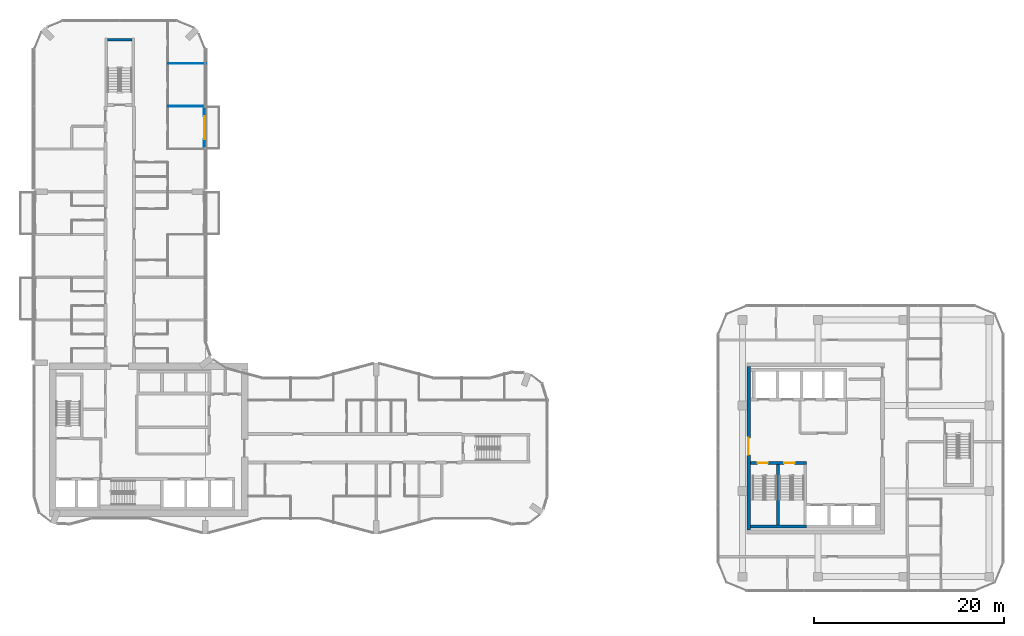
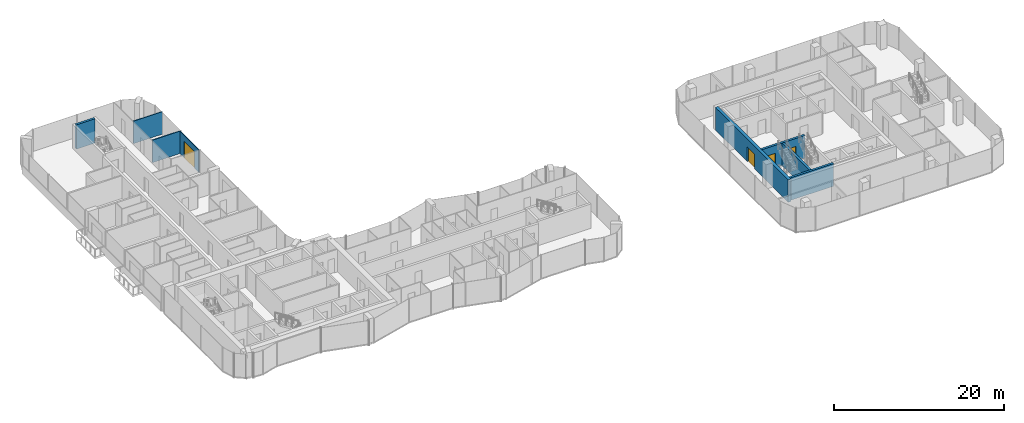
# One storey, part 17 of 23: 8 walls, 4 doors, 4 openings.
"""IFC4 building model written with IfcOpenShell, lengths in metres."""

from ifc_helpers import new_model, si_unit, direction, frame, frame_2d, origin, place, context, subcontext, project, spatial, rectangle, extrude, material, layer, layer_set, type_object, element, fill, save


model = new_model("IFC4")

# Units and contexts
model_context = context("Model", 3, precision=1e-05, world=origin(), true_north=direction((0.0, 1.0)))
body_context = subcontext(model_context, "Body", "Model", "MODEL_VIEW")
ifc_project = project(units=[si_unit("LENGTHUNIT", "METRE"), si_unit("AREAUNIT", "SQUARE_METRE"), si_unit("VOLUMEUNIT", "CUBIC_METRE"), si_unit("PLANEANGLEUNIT", "RADIAN"), si_unit("MASSUNIT", "GRAM", prefix="KILO")], contexts=[model_context])

# Site, building, storey
site_placement = place(None, origin())
site = spatial("IfcSite", under=ifc_project, at=site_placement, CompositionType="ELEMENT")
building_placement = place(site_placement, origin())
building = spatial("IfcBuilding", under=site, at=building_placement, Name="Plateau Cross Towers", CompositionType="ELEMENT")
storey_placement = place(building_placement, frame((0.0, 0.0, 95.800048828125)))
storey = spatial("IfcBuildingStorey", under=building, at=storey_placement, Name="L24", CompositionType="ELEMENT", Elevation=95.800048828125)

# Wall, opening, door
ifc_material_1 = material(Name="Aluminium framed glazing", Category="aluminium")
ifc_layer_1 = layer(ifc_material_1, 0.10009765625)
ifc_layer_set_1 = layer_set([ifc_layer_1], Name="Aluminium framed glazing")
wall_type_1 = type_object("IfcWallType", Name="Balcony screen wall 100", PredefinedType="STANDARD", material=ifc_layer_set_1)
wall_1_placement = place(storey_placement, frame((17.89990234375, 45.0, 0.0), z_axis=(0.0, 0.0, 1.0), x_axis=(0.0, -1.0, 0.0)))
wall_1 = element("IfcWall", 1, at=wall_1_placement, inside=storey, type_object=wall_type_1, Name="Balcony screen wall A-BAL-L24-04", PredefinedType="STANDARD", context=body_context, shape_type="SweptSolid", body=[
    extrude(rectangle(XDim=4.5, YDim=0.10009765625, at=frame_2d((2.25, 0.0))), origin(), (0.0, 0.0, 1.0), 3.25),
])
opening_1_placement = place(wall_1_placement, frame((1.050048828125, 0.0, 0.0)))
opening_1 = element("IfcOpeningElement", 2, at=opening_1_placement, cuts=wall_1, Name="Opening D-B24", PredefinedType="OPENING", context=body_context, shape_type="SweptSolid", body=[
    extrude(rectangle(XDim=2.39990234375, YDim=2.39990234375, at=frame_2d((1.199951171875, 1.199951171875))), frame((0.0, 0.06005859375, 0.0), z_axis=(0.0, -1.0, 0.0), x_axis=(1.0, 0.0, 0.0)), (0.0, 0.0, 1.0), 0.1201171875),
])
ifc_material_2 = material(Name="Aluminium frame, double glazing", Category="aluminium")
door_type_1 = type_object("IfcDoorType", Name="Balcony sliding door 2400", OperationType="NOTDEFINED", PredefinedType="DOOR", material=ifc_material_2)
door_1_placement = place(opening_1_placement, origin())
door_1 = element("IfcDoor", 3, at=door_1_placement, inside=storey, type_object=door_type_1, Name="Balcony door A-BAL-L24-04", OperationType="SINGLE_SWING_LEFT", OverallHeight=2.39990234375, OverallWidth=2.39990234375, PredefinedType="DOOR", context=body_context, shape_type="SweptSolid", body=[
    extrude(rectangle(XDim=2.39990234375, YDim=2.39990234375, at=frame_2d((1.199951171875, 1.199951171875))), frame((0.0, 0.02490234375, 0.0), z_axis=(0.0, -1.0, 0.0), x_axis=(1.0, 0.0, 0.0)), (0.0, 0.0, 1.0), 0.050048828125),
])
fill(opening_1, door_1)

# Wall
ifc_material_3 = material(Name="Concrete C60/75", Category="concrete")
ifc_layer_2 = layer(ifc_material_3, 0.300048828125)
ifc_layer_set_2 = layer_set([ifc_layer_2], Name="Concrete C60/75")
wall_type_2 = type_object("IfcWallType", Name="Core shaft wall 300", PredefinedType="SHEAR", material=ifc_layer_set_2)
wall_2_placement = place(storey_placement, frame((75.3798828125, 0.75, 0.0), z_axis=(0.0, 0.0, 1.0), x_axis=(1.0, 0.0, 0.0)))
element("IfcWall", 4, at=wall_2_placement, inside=storey, type_object=wall_type_2, Name="B-sb-stS@L24", PredefinedType="SHEAR", context=body_context, shape_type="SweptSolid", body=[
    extrude(rectangle(XDim=5.920166015625, YDim=0.300048828125, at=frame_2d((2.9599609375, 0.0))), origin(), (0.0, 0.0, 1.0), 3.25),
])

# Wall, openings, doors
wall_3_placement = place(storey_placement, frame((75.3798828125, 7.449951171875, 0.0), z_axis=(0.0, 0.0, 1.0), x_axis=(1.0, 0.0, 0.0)))
wall_3 = element("IfcWall", 5, at=wall_3_placement, inside=storey, type_object=wall_type_2, Name="B-sb-stN@L24", PredefinedType="SHEAR", context=body_context, shape_type="SweptSolid", body=[
    extrude(rectangle(XDim=5.920166015625, YDim=0.300048828125, at=frame_2d((2.9599609375, 0.0))), origin(), (0.0, 0.0, 1.0), 3.25),
])
opening_2_placement = place(wall_3_placement, frame((0.75, 0.0, 0.0)))
opening_2 = element("IfcOpeningElement", 6, at=opening_2_placement, cuts=wall_3, Name="Opening SD", PredefinedType="OPENING", context=body_context, shape_type="SweptSolid", body=[
    extrude(rectangle(XDim=1.10009765625, YDim=2.10009765625, at=frame_2d((0.550048828125, 1.050048828125))), frame((0.0, 0.159912109375, 0.0), z_axis=(0.0, -1.0, 0.0), x_axis=(1.0, 0.0, 0.0)), (0.0, 0.0, 1.0), 0.320068359375),
])
opening_3_placement = place(wall_3_placement, frame((3.550048828125, 0.0, 0.0)))
opening_3 = element("IfcOpeningElement", 7, at=opening_3_placement, cuts=wall_3, Name="Opening SD", PredefinedType="OPENING", context=body_context, shape_type="SweptSolid", body=[
    extrude(rectangle(XDim=1.10009765625, YDim=2.10009765625, at=frame_2d((0.550048828125, 1.050048828125))), frame((0.0, 0.159912109375, 0.0), z_axis=(0.0, -1.0, 0.0), x_axis=(1.0, 0.0, 0.0)), (0.0, 0.0, 1.0), 0.320068359375),
])
ifc_material_4 = material(Name="Steel, fire-resisting leaf", Category="steel")
door_type_2 = type_object("IfcDoorType", Name="Stair door 1100", OperationType="NOTDEFINED", PredefinedType="DOOR", material=ifc_material_4)
door_2_placement = place(opening_2_placement, origin())
door_2 = element("IfcDoor", 8, at=door_2_placement, inside=storey, type_object=door_type_2, Name="Stair door SD", OperationType="SINGLE_SWING_RIGHT", OverallHeight=2.10009765625, OverallWidth=1.10009765625, PredefinedType="DOOR", context=body_context, shape_type="SweptSolid", body=[
    extrude(rectangle(XDim=1.10009765625, YDim=2.10009765625, at=frame_2d((0.550048828125, 1.050048828125))), frame((0.0, 0.02490234375, 0.0), z_axis=(0.0, -1.0, 0.0), x_axis=(1.0, 0.0, 0.0)), (0.0, 0.0, 1.0), 0.050048828125),
])
fill(opening_2, door_2)
door_3_placement = place(opening_3_placement, origin())
door_3 = element("IfcDoor", 9, at=door_3_placement, inside=storey, type_object=door_type_2, Name="Stair door SD", OperationType="SINGLE_SWING_LEFT", OverallHeight=2.10009765625, OverallWidth=1.10009765625, PredefinedType="DOOR", context=body_context, shape_type="SweptSolid", body=[
    extrude(rectangle(XDim=1.10009765625, YDim=2.10009765625, at=frame_2d((0.550048828125, 1.050048828125))), frame((0.0, 0.02490234375, 0.0), z_axis=(0.0, -1.0, 0.0), x_axis=(1.0, 0.0, 0.0)), (0.0, 0.0, 1.0), 0.050048828125),
])
fill(opening_3, door_3)

# Wall
wall_4_placement = place(storey_placement, frame((78.300048828125, 0.89990234375, 0.0), z_axis=(0.0, 0.0, 1.0), x_axis=(0.0, 1.0, 0.0)))
element("IfcWall", 10, at=wall_4_placement, inside=storey, type_object=wall_type_2, Name="B-sb-st1@L24", PredefinedType="SHEAR", context=body_context, shape_type="SweptSolid", body=[
    extrude(rectangle(XDim=6.400146484375, YDim=0.300048828125, at=frame_2d((3.2001953125, 0.0))), origin(), (0.0, 0.0, 1.0), 3.25),
])

# Wall, opening, door
ifc_layer_3 = layer(ifc_material_3, 0.39990234375)
ifc_layer_set_3 = layer_set([ifc_layer_3], Name="Concrete C60/75")
wall_type_3 = type_object("IfcWallType", Name="Core shell wall 400", PredefinedType="SHEAR", material=ifc_layer_set_3)
wall_5_placement = place(storey_placement, frame((75.199951171875, 0.39990234375, 0.0), z_axis=(0.0, 0.0, 1.0), x_axis=(0.0, 1.0, 0.0)))
wall_5 = element("IfcWall", 11, at=wall_5_placement, inside=storey, type_object=wall_type_3, Name="B-core-W@L24", PredefinedType="SHEAR", context=body_context, shape_type="SweptSolid", body=[
    extrude(rectangle(XDim=17.2001953125, YDim=0.39990234375, at=frame_2d((8.60009765625, 0.0))), origin(), (0.0, 0.0, 1.0), 3.25),
])
opening_4_placement = place(wall_5_placement, frame((7.89990234375, 0.0, 0.0)))
opening_4 = element("IfcOpeningElement", 12, at=opening_4_placement, cuts=wall_5, Name="Opening CD", PredefinedType="OPENING", context=body_context, shape_type="SweptSolid", body=[
    extrude(rectangle(XDim=1.800048828125, YDim=2.10009765625, at=frame_2d((0.89990234375, 1.050048828125))), frame((0.0, 0.2099609375, 0.0), z_axis=(0.0, -1.0, 0.0), x_axis=(1.0, 0.0, 0.0)), (0.0, 0.0, 1.0), 0.419921875),
])
ifc_material_5 = material(Name="Steel, fire-resisting leaves", Category="steel")
door_type_3 = type_object("IfcDoorType", Name="Corridor door pair 1800", OperationType="NOTDEFINED", PredefinedType="DOOR", material=ifc_material_5)
door_4_placement = place(opening_4_placement, origin())
door_4 = element("IfcDoor", 13, at=door_4_placement, inside=storey, type_object=door_type_3, Name="Corridor door pair CD", OperationType="DOUBLE_DOOR_SINGLE_SWING", OverallHeight=2.10009765625, OverallWidth=1.800048828125, PredefinedType="DOOR", context=body_context, shape_type="SweptSolid", body=[
    extrude(rectangle(XDim=1.800048828125, YDim=2.10009765625, at=frame_2d((0.89990234375, 1.050048828125))), frame((0.0, 0.02490234375, 0.0), z_axis=(0.0, -1.0, 0.0), x_axis=(1.0, 0.0, 0.0)), (0.0, 0.0, 1.0), 0.050048828125),
])
fill(opening_4, door_4)

# Walls
ifc_material_6 = material(Name="Gypsum board on steel studs", Category="steel")
ifc_layer_4 = layer(ifc_material_6, 0.10009765625)
ifc_layer_set_4 = layer_set([ifc_layer_4], Name="Gypsum board on steel studs")
wall_type_4 = type_object("IfcWallType", Name="Flat partition 100", PredefinedType="PARTITIONING", material=ifc_layer_set_4)
wall_6_placement = place(storey_placement, frame((17.85009765625, 45.0, 0.0), z_axis=(0.0, 0.0, 1.0), x_axis=(-1.0, 0.0, 0.0)))
element("IfcWall", 14, at=wall_6_placement, inside=storey, type_object=wall_type_4, Name="Partition wall", PredefinedType="PARTITIONING", context=body_context, shape_type="SweptSolid", body=[
    extrude(rectangle(XDim=3.737548828125, YDim=0.10009765625, at=frame_2d((1.86865234375, 0.0))), origin(), (0.0, 0.0, 1.0), 3.25),
])
wall_7_placement = place(storey_placement, frame((18.080078125, 49.5, 0.0), z_axis=(0.0, 0.0, 1.0), x_axis=(-1.0, 0.0, 0.0)))
element("IfcWall", 15, at=wall_7_placement, inside=storey, type_object=wall_type_4, Name="Partition wall", PredefinedType="PARTITIONING", context=body_context, shape_type="SweptSolid", body=[
    extrude(rectangle(XDim=3.967529296875, YDim=0.10009765625, at=frame_2d((1.98388671875, 0.0))), origin(), (0.0, 0.0, 1.0), 3.25),
])
ifc_layer_5 = layer(ifc_material_3, 0.300048828125)
ifc_layer_set_5 = layer_set([ifc_layer_5], Name="Concrete C60/75")
wall_type_5 = type_object("IfcWallType", Name="Stair tower wall 300", PredefinedType="SHEAR", material=ifc_layer_set_5)
wall_8_placement = place(storey_placement, frame((7.72509765625, 52.0, 0.0), z_axis=(0.0, 0.0, 1.0), x_axis=(1.0, 0.0, 0.0)))
element("IfcWall", 16, at=wall_8_placement, inside=storey, type_object=wall_type_5, Name="A-end-N-N@L24", PredefinedType="SHEAR", context=body_context, shape_type="SweptSolid", body=[
    extrude(rectangle(XDim=2.5498046875, YDim=0.300048828125, at=frame_2d((1.27490234375, 0.0))), origin(), (0.0, 0.0, 1.0), 3.5),
])

save(model, "model.ifc")
